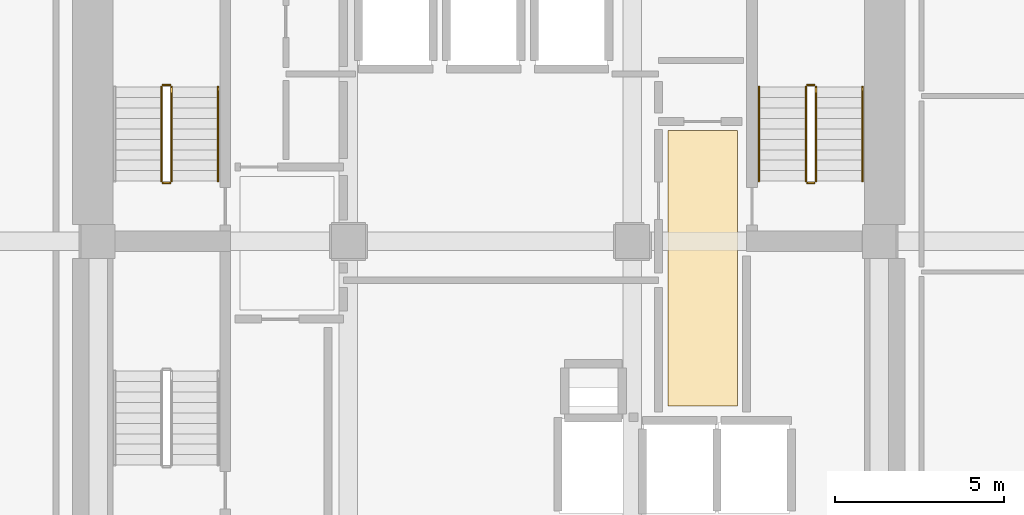
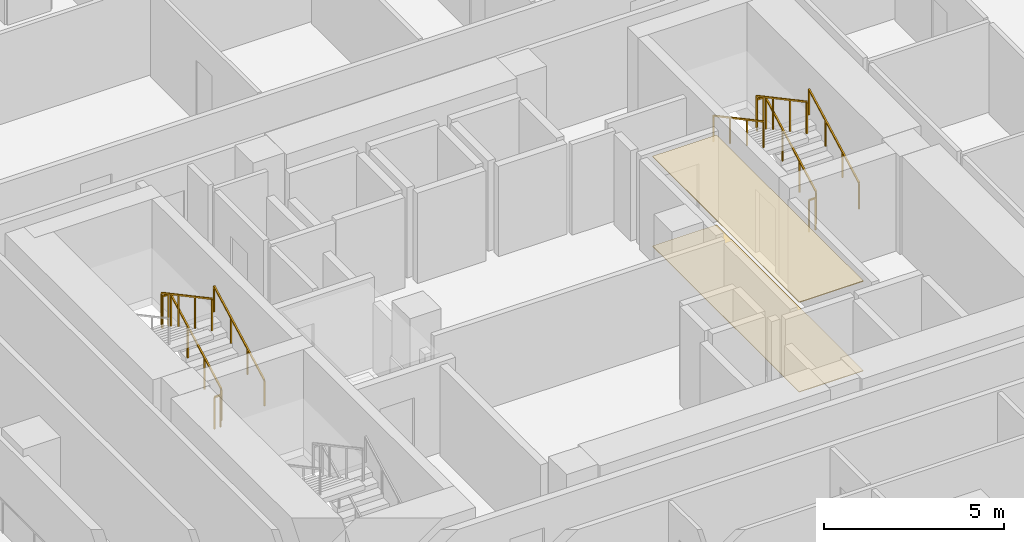
# One storey, part 10 of 11: 11 railings, 2 coverings.
"""IFC4 building model written with IfcOpenShell, lengths in metres."""

from ifc_helpers import new_model, si_unit, direction, frame, origin, origin_2d, place, context, subcontext, project, spatial, polyline, rectangle, outline, extrude, material, layer, layer_set, type_object, element, save


model = new_model("IFC4")

# Units and contexts
model_context = context("Model", 3, precision=1e-05, world=origin(), true_north=direction((0.0, 1.0)))
body_context = subcontext(model_context, "Body", "Model", "MODEL_VIEW")
ifc_project = project(units=[si_unit("LENGTHUNIT", "METRE"), si_unit("AREAUNIT", "SQUARE_METRE"), si_unit("VOLUMEUNIT", "CUBIC_METRE"), si_unit("PLANEANGLEUNIT", "RADIAN"), si_unit("MASSUNIT", "GRAM", prefix="KILO")], contexts=[model_context])

# Site, building, storey
site_placement = place(None, origin())
site = spatial("IfcSite", under=ifc_project, at=site_placement, CompositionType="ELEMENT")
building_placement = place(site_placement, origin())
building = spatial("IfcBuilding", under=site, at=building_placement, Name="Solanera Arch Residences", CompositionType="ELEMENT")
storey_placement = place(building_placement, frame((0.0, 0.0, 75.1201171875)))
storey = spatial("IfcBuildingStorey", under=building, at=storey_placement, Name="L21", CompositionType="ELEMENT", Elevation=75.1201171875)

# Covering
ifc_material_1 = material(Name="Porcelain Acoustic Floor Tile", Category="ceramic")
ifc_layer_1 = layer(ifc_material_1, 0.02001953125)
ifc_layer_set_1 = layer_set([ifc_layer_1], Name="Porcelain Acoustic Floor Tile")
covering_type_1 = type_object("IfcCoveringType", Name="Porcelain Acoustic Floor Finish FLR-20", PredefinedType="FLOORING", material=ifc_layer_set_1)
covering_1_placement = place(storey_placement, origin())
element("IfcCovering", 1, at=covering_1_placement, inside=storey, type_object=covering_type_1, Name="L21-FFL-E Porcelain Floor Finish", PredefinedType="FLOORING", context=body_context, shape_type="SweptSolid", body=[
    extrude(outline(polyline([(32.304931640625, 25.824951171875), (30.25, 25.824951171875), (30.25, 33.97509765625), (32.304931640625, 33.97509765625), (32.304931640625, 25.824951171875)])), origin(), (0.0, 0.0, 1.0), 0.019775390625),
])

# Railings
ifc_material_2 = material(Name="Steel S355 (ASTM A992 / A572 Grade 50)", Category="steel")
railing_type_1 = type_object("IfcRailingType", Name="Stair Guardrail GR-1100", PredefinedType="GUARDRAIL", material=ifc_material_2)
railing_1_placement = place(storey_placement, frame((15.570068359375, 32.47998046875, 0.15087890625)))
element("IfcRailing", 2, at=railing_1_placement, inside=storey, type_object=railing_type_1, Name="L21 ST-T1 stair guard 1", PredefinedType="GUARDRAIL", context=body_context, shape_type="SweptSolid", body=[
    extrude(rectangle(XDim=0.048095703125, YDim=0.048095703125, at=origin_2d()), frame((0.0, 0.0, 1.076171875), z_axis=(0.0, 0.881580869306, 0.472033018838), x_axis=(-1.0, 0.0, 0.0)), (0.0, 0.0, 1.0), 3.164794921875),
    extrude(rectangle(XDim=0.0419921875, YDim=0.0419921875, at=origin_2d()), origin(), (0.0, 0.0, 1.0), 1.052001953125),
    extrude(rectangle(XDim=0.0419921875, YDim=0.0419921875, at=origin_2d()), frame((0.0, 0.929931640625, 0.498046875)), (0.0, 0.0, 1.0), 1.052001953125),
    extrude(rectangle(XDim=0.0419921875, YDim=0.0419921875, at=origin_2d()), frame((0.0, 1.860107421875, 0.995849609375)), (0.0, 0.0, 1.0), 1.052001953125),
    extrude(rectangle(XDim=0.0419921875, YDim=0.0419921875, at=origin_2d()), frame((0.0, 2.7900390625, 1.493896484375)), (0.0, 0.0, 1.0), 1.052001953125),
])
railing_2_placement = place(storey_placement, frame((15.52001953125, 35.320068359375, 1.644775390625)))
element("IfcRailing", 3, at=railing_2_placement, inside=storey, type_object=railing_type_1, Name="L21 ST-T1 stair guard 2", PredefinedType="GUARDRAIL", context=body_context, shape_type="SweptSolid", body=[
    extrude(rectangle(XDim=0.048095703125, YDim=0.048095703125, at=origin_2d()), frame((0.0, 0.0, 1.076171875), z_axis=(-1.0, 0.0, 0.0), x_axis=(0.0, -1.0, 0.0)), (0.0, 0.0, 1.0), 0.199951171875),
    extrude(rectangle(XDim=0.0419921875, YDim=0.0419921875, at=origin_2d()), origin(), (0.0, 0.0, 1.0), 1.052001953125),
    extrude(rectangle(XDim=0.0419921875, YDim=0.0419921875, at=origin_2d()), frame((-0.199951171875, 0.0, 0.0)), (0.0, 0.0, 1.0), 1.052001953125),
])
railing_3_placement = place(storey_placement, frame((15.27001953125, 35.27001953125, 1.810791015625)))
element("IfcRailing", 4, at=railing_3_placement, inside=storey, type_object=railing_type_1, Name="L21 ST-T1 stair guard 3", PredefinedType="GUARDRAIL", context=body_context, shape_type="SweptSolid", body=[
    extrude(rectangle(XDim=0.048095703125, YDim=0.048095703125, at=origin_2d()), frame((0.0, 0.0, 1.076171875), z_axis=(0.0, -0.881548766853, 0.472092969298), x_axis=(1.0, 0.0, 0.0)), (0.0, 0.0, 1.0), 3.1650390625),
    extrude(rectangle(XDim=0.0419921875, YDim=0.0419921875, at=origin_2d()), origin(), (0.0, 0.0, 1.0), 1.052001953125),
    extrude(rectangle(XDim=0.0419921875, YDim=0.0419921875, at=origin_2d()), frame((0.0, -0.929931640625, 0.498046875)), (0.0, 0.0, 1.0), 1.052001953125),
    extrude(rectangle(XDim=0.0419921875, YDim=0.0419921875, at=origin_2d()), frame((0.0, -1.860107421875, 0.99609375)), (0.0, 0.0, 1.0), 1.052001953125),
    extrude(rectangle(XDim=0.0419921875, YDim=0.0419921875, at=origin_2d()), frame((0.0, -2.7900390625, 1.494140625)), (0.0, 0.0, 1.0), 1.052001953125),
])
railing_4_placement = place(storey_placement, frame((15.52001953125, 32.429931640625, -0.01513671875)))
element("IfcRailing", 5, at=railing_4_placement, inside=storey, type_object=railing_type_1, Name="L21 ST-T1 stair guard 4", PredefinedType="GUARDRAIL", context=body_context, shape_type="SweptSolid", body=[
    extrude(rectangle(XDim=0.048095703125, YDim=0.048095703125, at=origin_2d()), frame((0.0, 0.0, 1.076171875), z_axis=(-1.0, 0.0, 0.0), x_axis=(0.0, -1.0, 0.0)), (0.0, 0.0, 1.0), 0.199951171875),
    extrude(rectangle(XDim=0.0419921875, YDim=0.0419921875, at=origin_2d()), origin(), (0.0, 0.0, 1.0), 1.052001953125),
    extrude(rectangle(XDim=0.0419921875, YDim=0.0419921875, at=origin_2d()), frame((-0.199951171875, 0.0, 0.0)), (0.0, 0.0, 1.0), 1.052001953125),
])
railing_5_placement = place(storey_placement, frame((34.6298828125, 32.47998046875, 0.15087890625)))
element("IfcRailing", 6, at=railing_5_placement, inside=storey, type_object=railing_type_1, Name="L21 ST-T2 stair guard 1", PredefinedType="GUARDRAIL", context=body_context, shape_type="SweptSolid", body=[
    extrude(rectangle(XDim=0.048095703125, YDim=0.048095703125, at=origin_2d()), frame((0.0, 0.0, 1.076171875), z_axis=(0.0, 0.881580869306, 0.472033018838), x_axis=(-1.0, 0.0, 0.0)), (0.0, 0.0, 1.0), 3.164794921875),
    extrude(rectangle(XDim=0.0419921875, YDim=0.0419921875, at=origin_2d()), origin(), (0.0, 0.0, 1.0), 1.052001953125),
    extrude(rectangle(XDim=0.0419921875, YDim=0.0419921875, at=origin_2d()), frame((0.0, 0.929931640625, 0.498046875)), (0.0, 0.0, 1.0), 1.052001953125),
    extrude(rectangle(XDim=0.0419921875, YDim=0.0419921875, at=origin_2d()), frame((0.0, 1.860107421875, 0.995849609375)), (0.0, 0.0, 1.0), 1.052001953125),
    extrude(rectangle(XDim=0.0419921875, YDim=0.0419921875, at=origin_2d()), frame((0.0, 2.7900390625, 1.493896484375)), (0.0, 0.0, 1.0), 1.052001953125),
])
railing_6_placement = place(storey_placement, frame((34.580078125, 35.320068359375, 1.644775390625)))
element("IfcRailing", 7, at=railing_6_placement, inside=storey, type_object=railing_type_1, Name="L21 ST-T2 stair guard 2", PredefinedType="GUARDRAIL", context=body_context, shape_type="SweptSolid", body=[
    extrude(rectangle(XDim=0.048095703125, YDim=0.048095703125, at=origin_2d()), frame((0.0, 0.0, 1.076171875), z_axis=(-1.0, 0.0, 0.0), x_axis=(0.0, -1.0, 0.0)), (0.0, 0.0, 1.0), 0.2001953125),
    extrude(rectangle(XDim=0.0419921875, YDim=0.0419921875, at=origin_2d()), origin(), (0.0, 0.0, 1.0), 1.052001953125),
    extrude(rectangle(XDim=0.0419921875, YDim=0.0419921875, at=origin_2d()), frame((-0.2001953125, 0.0, 0.0)), (0.0, 0.0, 1.0), 1.052001953125),
])
railing_7_placement = place(storey_placement, frame((34.330078125, 35.27001953125, 1.810791015625)))
element("IfcRailing", 8, at=railing_7_placement, inside=storey, type_object=railing_type_1, Name="L21 ST-T2 stair guard 3", PredefinedType="GUARDRAIL", context=body_context, shape_type="SweptSolid", body=[
    extrude(rectangle(XDim=0.048095703125, YDim=0.048095703125, at=origin_2d()), frame((0.0, 0.0, 1.076171875), z_axis=(0.0, -0.881548766853, 0.472092969298), x_axis=(1.0, 0.0, 0.0)), (0.0, 0.0, 1.0), 3.1650390625),
    extrude(rectangle(XDim=0.0419921875, YDim=0.0419921875, at=origin_2d()), origin(), (0.0, 0.0, 1.0), 1.052001953125),
    extrude(rectangle(XDim=0.0419921875, YDim=0.0419921875, at=origin_2d()), frame((0.0, -0.929931640625, 0.498046875)), (0.0, 0.0, 1.0), 1.052001953125),
    extrude(rectangle(XDim=0.0419921875, YDim=0.0419921875, at=origin_2d()), frame((0.0, -1.860107421875, 0.99609375)), (0.0, 0.0, 1.0), 1.052001953125),
    extrude(rectangle(XDim=0.0419921875, YDim=0.0419921875, at=origin_2d()), frame((0.0, -2.7900390625, 1.494140625)), (0.0, 0.0, 1.0), 1.052001953125),
])
railing_8_placement = place(storey_placement, frame((34.580078125, 32.429931640625, -0.01513671875)))
element("IfcRailing", 9, at=railing_8_placement, inside=storey, type_object=railing_type_1, Name="L21 ST-T2 stair guard 4", PredefinedType="GUARDRAIL", context=body_context, shape_type="SweptSolid", body=[
    extrude(rectangle(XDim=0.048095703125, YDim=0.048095703125, at=origin_2d()), frame((0.0, 0.0, 1.076171875), z_axis=(-1.0, 0.0, 0.0), x_axis=(0.0, -1.0, 0.0)), (0.0, 0.0, 1.0), 0.2001953125),
    extrude(rectangle(XDim=0.0419921875, YDim=0.0419921875, at=origin_2d()), origin(), (0.0, 0.0, 1.0), 1.052001953125),
    extrude(rectangle(XDim=0.0419921875, YDim=0.0419921875, at=origin_2d()), frame((-0.2001953125, 0.0, 0.0)), (0.0, 0.0, 1.0), 1.052001953125),
])
ifc_material_3 = material(Name="Steel S355 (ASTM A992 / A572 Grade 50)", Category="steel")
railing_type_2 = type_object("IfcRailingType", Name="Stair Wall Handrail HR-920", PredefinedType="HANDRAIL", material=ifc_material_3)
for number, where, name in (
    (10, (16.949951171875, 32.47998046875, 0.165771484375), "L21 ST-T1 stair handrail 1"),
    (11, (36.010009765625, 32.47998046875, 0.165771484375), "L21 ST-T2 stair handrail 1"),
):
    element("IfcRailing", number, at=place(storey_placement, frame(where)), inside=storey, type_object=railing_type_2, Name=name, PredefinedType="HANDRAIL", context=body_context, shape_type="SweptSolid", body=[
        extrude(rectangle(XDim=0.048095703125, YDim=0.048095703125, at=origin_2d()), frame((0.0, 0.0, 0.8759765625), z_axis=(0.0, 0.881548766853, 0.472092969298), x_axis=(-1.0, 0.0, 0.0)), (0.0, 0.0, 1.0), 3.1650390625),
        extrude(rectangle(XDim=0.0419921875, YDim=0.0419921875, at=origin_2d()), origin(), (0.0, 0.0, 1.0), 0.851806640625),
        extrude(rectangle(XDim=0.0419921875, YDim=0.0419921875, at=origin_2d()), frame((0.0, 0.929931640625, 0.498046875)), (0.0, 0.0, 1.0), 0.851806640625),
        extrude(rectangle(XDim=0.0419921875, YDim=0.0419921875, at=origin_2d()), frame((0.0, 1.860107421875, 0.99609375)), (0.0, 0.0, 1.0), 0.851806640625),
        extrude(rectangle(XDim=0.0419921875, YDim=0.0419921875, at=origin_2d()), frame((0.0, 2.7900390625, 1.494140625)), (0.0, 0.0, 1.0), 0.851806640625),
    ])
railing_9_placement = place(storey_placement, frame((32.949951171875, 35.27001953125, 1.825927734375)))
element("IfcRailing", 12, at=railing_9_placement, inside=storey, type_object=railing_type_2, Name="L21 ST-T2 stair handrail 2", PredefinedType="HANDRAIL", context=body_context, shape_type="SweptSolid", body=[
    extrude(rectangle(XDim=0.048095703125, YDim=0.048095703125, at=origin_2d()), frame((0.0, 0.0, 0.8759765625), z_axis=(0.0, -0.881580869306, 0.472033018838), x_axis=(1.0, 0.0, 0.0)), (0.0, 0.0, 1.0), 3.164794921875),
    extrude(rectangle(XDim=0.0419921875, YDim=0.0419921875, at=origin_2d()), origin(), (0.0, 0.0, 1.0), 0.851806640625),
    extrude(rectangle(XDim=0.0419921875, YDim=0.0419921875, at=origin_2d()), frame((0.0, -0.929931640625, 0.498046875)), (0.0, 0.0, 1.0), 0.851806640625),
    extrude(rectangle(XDim=0.0419921875, YDim=0.0419921875, at=origin_2d()), frame((0.0, -1.860107421875, 0.995849609375)), (0.0, 0.0, 1.0), 0.851806640625),
    extrude(rectangle(XDim=0.0419921875, YDim=0.0419921875, at=origin_2d()), frame((0.0, -2.7900390625, 1.493896484375)), (0.0, 0.0, 1.0), 0.851806640625),
])

# Covering
ifc_material_4 = material(Name="Mineral Fibre Acoustic Ceiling Board", Category="gypsum")
ifc_layer_2 = layer(ifc_material_4, 0.02490234375)
ifc_layer_set_2 = layer_set([ifc_layer_2], Name="Mineral Fibre Acoustic Ceiling Board")
covering_type_2 = type_object("IfcCoveringType", Name="Suspended Acoustic Ceiling Board CLG-25", PredefinedType="CEILING", material=ifc_layer_set_2)
covering_2_placement = place(storey_placement, frame((0.0, 0.0, 3.034912109375)))
element("IfcCovering", 13, at=covering_2_placement, inside=storey, type_object=covering_type_2, Name="L21-FFL-E Acoustic Ceiling", PredefinedType="CEILING", context=body_context, shape_type="SweptSolid", body=[
    extrude(outline(polyline([(32.304931640625, 25.824951171875), (30.25, 25.824951171875), (30.25, 33.97509765625), (32.304931640625, 33.97509765625), (32.304931640625, 25.824951171875)])), origin(), (0.0, 0.0, 1.0), 0.02490234375),
])

save(model, "model.ifc")
